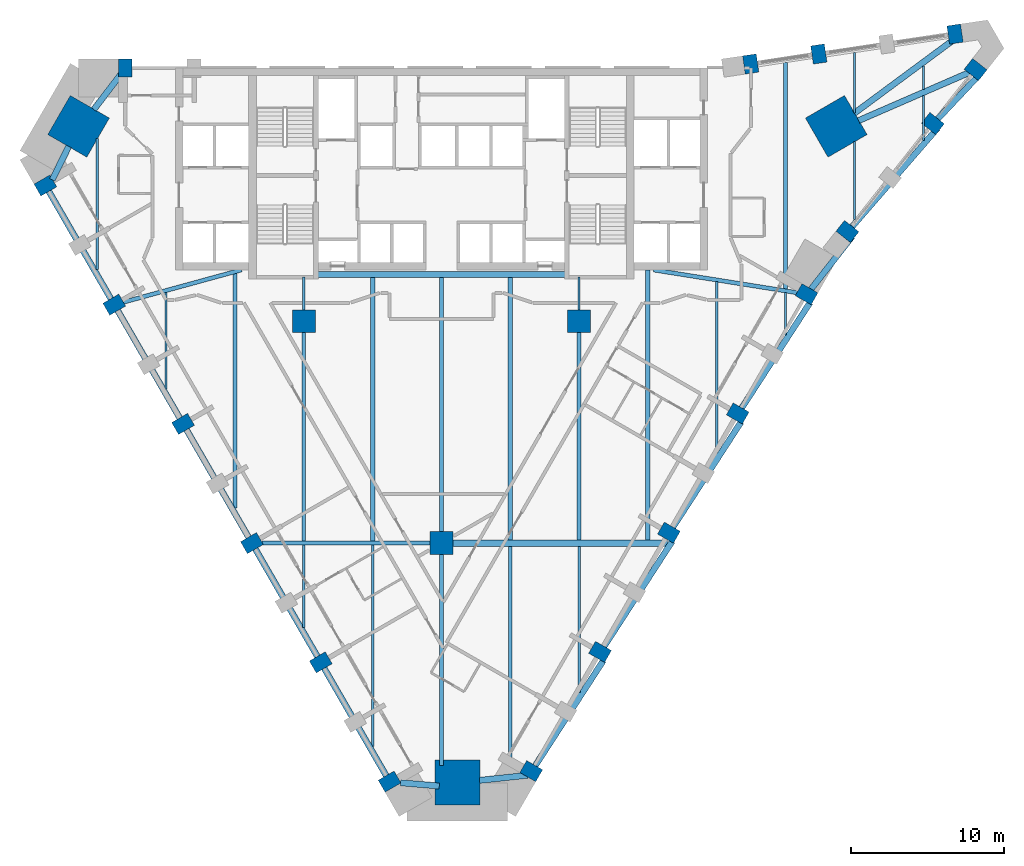
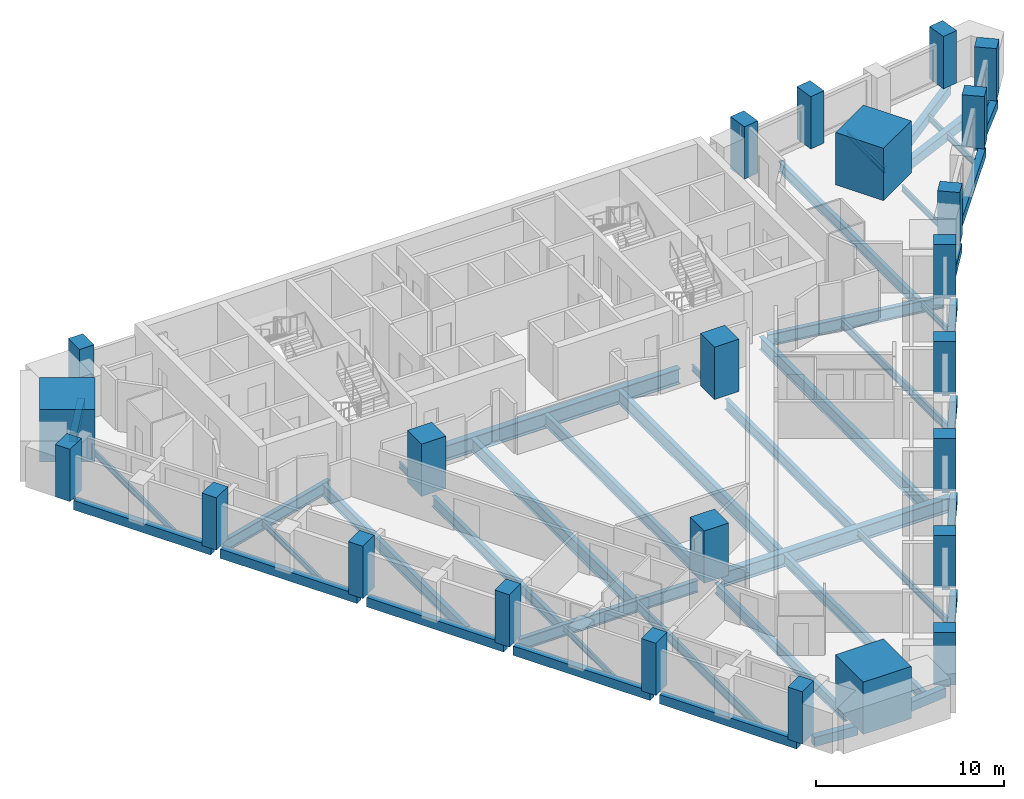
# One storey, part 1 of 10: 46 beams, 24 columns.
"""IFC4 building model written with IfcOpenShell, lengths in metres."""

from ifc_helpers import new_model, si_unit, direction, frame, origin, origin_2d, place, context, subcontext, project, spatial, rectangle, i_section, extrude, material, material_profile, profile_set, type_object, element, save


model = new_model("IFC4")

# Units and contexts
model_context = context("Model", 3, precision=1e-05, world=origin(), true_north=direction((0.0, 1.0)))
body_context = subcontext(model_context, "Body", "Model", "MODEL_VIEW")
ifc_project = project(units=[si_unit("LENGTHUNIT", "METRE"), si_unit("AREAUNIT", "SQUARE_METRE"), si_unit("VOLUMEUNIT", "CUBIC_METRE"), si_unit("PLANEANGLEUNIT", "RADIAN"), si_unit("MASSUNIT", "GRAM", prefix="KILO")], contexts=[model_context])

# Site, building, storey
site_placement = place(None, origin())
site = spatial("IfcSite", under=ifc_project, at=site_placement, CompositionType="ELEMENT")
building_placement = place(site_placement, origin())
building = spatial("IfcBuilding", under=site, at=building_placement, Name="Calabash Gate Tower", CompositionType="ELEMENT")
storey_placement = place(building_placement, frame((0.0, 0.0, 102.0)))
storey = spatial("IfcBuildingStorey", under=building, at=storey_placement, Name="L22", CompositionType="ELEMENT", Elevation=102.0)

# Columns
ifc_material_1 = material(Name="Concrete C80/95", Category="concrete")
ifc_material_profile_1 = material_profile(ifc_material_1, rectangle(XDim=1.5, YDim=1.5, at=origin_2d()))
ifc_profile_set_1 = profile_set([ifc_material_profile_1], Name="Concrete C80/95")
column_type_1 = type_object("IfcColumnType", Name="Interior column RC 1500x1500 Concrete C80/95", PredefinedType="COLUMN", material=ifc_profile_set_1)
for number, where, z_axis, x_axis, name in (
    (1, (-9.0, 2.5, 0.0), (0.0, 0.0, 1.0), (1.0, 0.0, 0.0), "Interior column L22 I0"),
    (2, (9.0, 2.5, 0.0), (0.0, 0.0, 1.0), (1.0, 0.0, 0.0), "Interior column L22 I1"),
    (3, (0.0, -12.0, 0.0), (0.0, 0.0, 1.0), (1.0, 0.0, 0.0), "Interior column L22 I2"),
):
    element("IfcColumn", number, at=place(storey_placement, frame(where, z_axis=z_axis, x_axis=x_axis)), inside=storey, type_object=column_type_1, Name=name, PredefinedType="COLUMN", context=body_context, shape_type="SweptSolid", body=[
        extrude(rectangle(XDim=1.5, YDim=1.5, at=origin_2d()), origin(), (0.0, 0.0, 1.0), 3.39990234375),
    ])
ifc_material_2 = material(Name="Concrete C80/95", Category="concrete")
ifc_material_profile_2 = material_profile(ifc_material_2, rectangle(XDim=2.949951171875, YDim=2.949951171875, at=origin_2d()))
ifc_profile_set_2 = profile_set([ifc_material_profile_2], Name="Concrete C80/95")
column_type_2 = type_object("IfcColumnType", Name="Mega column RC 2950x2950 Concrete C80/95", PredefinedType="COLUMN", material=ifc_profile_set_2)
for number, where, z_axis, x_axis, name in (
    (4, (-23.72412109375, 15.243896484375, 0.0), (0.0, 0.0, 1.0), (0.866025403784, -0.5, 0.0), "Mega column L22 NW"),
    (5, (25.806884765625, 15.243896484375, 0.0), (0.0, 0.0, 1.0), (-0.866025403784, -0.5, 0.0), "Mega column L22 NE"),
    (6, (1.041015625, -27.65087890625, 0.0), (0.0, 0.0, 1.0), (0.0, 1.0, 0.0), "Mega column L22 S"),
):
    element("IfcColumn", number, at=place(storey_placement, frame(where, z_axis=z_axis, x_axis=x_axis)), inside=storey, type_object=column_type_2, Name=name, PredefinedType="COLUMN", context=body_context, shape_type="SweptSolid", body=[
        extrude(rectangle(XDim=2.949951171875, YDim=2.949951171875, at=origin_2d()), origin(), (0.0, 0.0, 1.0), 3.39990234375),
    ])
ifc_material_3 = material(Name="Concrete C70/85", Category="concrete")
ifc_material_profile_3 = material_profile(ifc_material_3, rectangle(XDim=0.89990234375, YDim=1.199951171875, at=origin_2d()))
ifc_profile_set_3 = profile_set([ifc_material_profile_3], Name="Concrete C70/85")
column_type_3 = type_object("IfcColumnType", Name="Perimeter column RC 900x1200 Concrete C70/85", PredefinedType="COLUMN", material=ifc_profile_set_3)
for number, where, z_axis, x_axis, name in (
    (7, (-25.889892578125, 11.3779296875, 0.0), (0.0, 0.0, 1.0), (0.5, -0.866025403784, 0.0), "Perimeter column L22 P20"),
    (8, (-21.389892578125, 3.5830078125, 0.0), (0.0, 0.0, 1.0), (0.5, -0.866025403784, 0.0), "Perimeter column L22 P00"),
    (9, (-16.889892578125, -4.2109375, 0.0), (0.0, 0.0, 1.0), (0.5, -0.866025403784, 0.0), "Perimeter column L22 P01"),
    (10, (-12.389892578125, -12.0029296875, 0.0), (0.0, 0.0, 1.0), (0.5, -0.866025403784, 0.0), "Perimeter column L22 P02"),
    (11, (-7.889892578125, -19.799072265625, 0.0), (0.0, 0.0, 1.0), (0.5, -0.866025403784, 0.0), "Perimeter column L22 P03"),
    (12, (-3.389892578125, -27.593017578125, 0.0), (0.0, 0.0, 1.0), (0.5, -0.866025403784, 0.0), "Perimeter column L22 P05"),
    (13, (5.866943359375, -26.908935546875, 0.0), (0.0, 0.0, 1.0), (0.5, 0.866025403784, 0.0), "Perimeter column L22 P08"),
    (14, (10.366943359375, -19.113037109375, 0.0), (0.0, 0.0, 1.0), (0.5, 0.866025403784, 0.0), "Perimeter column L22 P09"),
    (15, (14.866943359375, -11.321044921875, 0.0), (0.0, 0.0, 1.0), (0.5, 0.866025403784, 0.0), "Perimeter column L22 P10"),
    (16, (19.366943359375, -3.527099609375, 0.0), (0.0, 0.0, 1.0), (0.5, 0.866025403784, 0.0), "Perimeter column L22 P11"),
    (17, (23.866943359375, 4.26708984375, 0.0), (0.0, 0.0, 1.0), (0.5, 0.866025403784, 0.0), "Perimeter column L22 P12"),
    (18, (26.5400390625, 8.366943359375, 0.0), (0.0, 0.0, 1.0), (0.620301172202, 0.784363726701, 0.0), "Perimeter column L22 P13"),
    (19, (32.1220703125, 15.424072265625, 0.0), (0.0, 0.0, 1.0), (0.620301172202, 0.784363726701, 0.0), "Perimeter column L22 P21"),
    (20, (34.9140625, 18.9541015625, 0.0), (0.0, 0.0, 1.0), (0.620301172202, 0.784363726701, 0.0), "Perimeter column L22 P22"),
    (21, (33.572998046875, 21.27587890625, 0.0), (0.0, 0.0, 1.0), (-0.989429504293, -0.145014675236, 0.0), "Perimeter column L22 P23"),
    (22, (24.66796875, 19.970947265625, 0.0), (0.0, 0.0, 1.0), (-0.989429504293, -0.145014675236, 0.0), "Perimeter column L22 P16"),
    (23, (20.216064453125, 19.318115234375, 0.0), (0.0, 0.0, 1.0), (-0.989429504293, -0.145014675236, 0.0), "Perimeter column L22 P24"),
    (24, (-20.6689453125, 19.052978515625, 0.0), (0.0, 0.0, 1.0), (-1.0, 0.0, 0.0), "Perimeter column L22 P17"),
):
    element("IfcColumn", number, at=place(storey_placement, frame(where, z_axis=z_axis, x_axis=x_axis)), inside=storey, type_object=column_type_3, Name=name, PredefinedType="COLUMN", context=body_context, shape_type="SweptSolid", body=[
        extrude(rectangle(XDim=0.89990234375, YDim=1.199951171875, at=origin_2d()), origin(), (0.0, 0.0, 1.0), 3.39990234375),
    ])

# Beams
ifc_material_4 = material(Name="Concrete C60/75", Category="concrete")
ifc_material_profile_4 = material_profile(ifc_material_4, rectangle(XDim=0.39990234375, YDim=0.60009765625, at=origin_2d()))
ifc_profile_set_4 = profile_set([ifc_material_profile_4], Name="Concrete C60/75")
beam_type_1 = type_object("IfcBeamType", Name="Edge beam RC 400x600 Concrete C60/75", PredefinedType="BEAM", material=ifc_profile_set_4)
beam_1_placement = place(storey_placement, frame((-16.672119140625, -4.589111328125, -0.469970703125), z_axis=(0.500175705322, -0.865923936501, 0.0), x_axis=(0.865923936501, 0.500175705322, 0.0)))
element("IfcBeam", 25, at=beam_1_placement, inside=storey, type_object=beam_type_1, Name="Edge beam L22 1", PredefinedType="BEAM", context=body_context, shape_type="SweptSolid", body=[
    extrude(rectangle(XDim=0.39990234375, YDim=0.60009765625, at=origin_2d()), origin(), (0.0, 0.0, 1.0), 8.42333984375),
])
beam_2_placement = place(storey_placement, frame((-12.172119140625, -12.383056640625, -0.469970703125), z_axis=(0.500025102917, -0.866010910123, 0.0), x_axis=(0.866010910123, 0.500025102917, 0.0)))
element("IfcBeam", 26, at=beam_2_placement, inside=storey, type_object=beam_type_1, Name="Edge beam L22 2", PredefinedType="BEAM", context=body_context, shape_type="SweptSolid", body=[
    extrude(rectangle(XDim=0.39990234375, YDim=0.60009765625, at=origin_2d()), origin(), (0.0, 0.0, 1.0), 8.42578125),
])
beam_3_placement = place(storey_placement, frame((-7.672119140625, -20.177001953125, -0.469970703125), z_axis=(0.500012556128, -0.866018154379, 0.0), x_axis=(0.866018154379, 0.500012556128, 0.0)))
element("IfcBeam", 27, at=beam_3_placement, inside=storey, type_object=beam_type_1, Name="Edge beam L22 3", PredefinedType="BEAM", context=body_context, shape_type="SweptSolid", body=[
    extrude(rectangle(XDim=0.39990234375, YDim=0.60009765625, at=origin_2d()), origin(), (0.0, 0.0, 1.0), 8.426025390625),
])
beam_4_placement = place(storey_placement, frame((-2.673095703125, -27.6669921875, -0.469970703125), z_axis=(0.996373247491, -0.085090256106, 0.0), x_axis=(0.085090256106, 0.996373247491, 0.0)))
element("IfcBeam", 28, at=beam_4_placement, inside=storey, type_object=beam_type_1, Name="Edge beam L22 4", PredefinedType="BEAM", context=body_context, shape_type="SweptSolid", body=[
    extrude(rectangle(XDim=0.39990234375, YDim=0.60009765625, at=origin_2d()), origin(), (0.0, 0.0, 1.0), 2.539306640625),
])
beam_5_placement = place(storey_placement, frame((2.489990234375, -27.512939453125, -0.469970703125), z_axis=(0.99429686812, 0.106647728743, 0.0), x_axis=(-0.106647728743, 0.99429686812, 0.0)))
element("IfcBeam", 29, at=beam_5_placement, inside=storey, type_object=beam_type_1, Name="Edge beam L22 5", PredefinedType="BEAM", context=body_context, shape_type="SweptSolid", body=[
    extrude(rectangle(XDim=0.39990234375, YDim=0.60009765625, at=origin_2d()), origin(), (0.0, 0.0, 1.0), 3.1591796875),
])
beam_6_placement = place(storey_placement, frame((6.1259765625, -26.55810546875, -0.469970703125), z_axis=(0.543664298649, 0.839302764427, 0.0), x_axis=(-0.839302764427, 0.543664298649, 0.0)))
element("IfcBeam", 30, at=beam_6_placement, inside=storey, type_object=beam_type_1, Name="Edge beam L22 6", PredefinedType="BEAM", context=body_context, shape_type="SweptSolid", body=[
    extrude(rectangle(XDim=0.39990234375, YDim=0.60009765625, at=origin_2d()), origin(), (0.0, 0.0, 1.0), 8.20947265625),
])
beam_7_placement = place(storey_placement, frame((10.6259765625, -18.763916015625, -0.469970703125), z_axis=(0.543677868932, 0.839293974024, 0.0), x_axis=(-0.839293974024, 0.543677868932, 0.0)))
element("IfcBeam", 31, at=beam_7_placement, inside=storey, type_object=beam_type_1, Name="Edge beam L22 7", PredefinedType="BEAM", context=body_context, shape_type="SweptSolid", body=[
    extrude(rectangle(XDim=0.39990234375, YDim=0.60009765625, at=origin_2d()), origin(), (0.0, 0.0, 1.0), 8.209228515625),
])
beam_8_placement = place(storey_placement, frame((15.1259765625, -10.968994140625, -0.469970703125), z_axis=(0.543732155417, 0.839258805831, 0.0), x_axis=(-0.839258805831, 0.543732155417, 0.0)))
element("IfcBeam", 32, at=beam_8_placement, inside=storey, type_object=beam_type_1, Name="Edge beam L22 8", PredefinedType="BEAM", context=body_context, shape_type="SweptSolid", body=[
    extrude(rectangle(XDim=0.39990234375, YDim=0.60009765625, at=origin_2d()), origin(), (0.0, 0.0, 1.0), 8.208251953125),
])
beam_9_placement = place(storey_placement, frame((19.6259765625, -3.173095703125, -0.469970703125), z_axis=(0.543827177379, 0.839197236139, 0.0), x_axis=(-0.839197236139, 0.543827177379, 0.0)))
element("IfcBeam", 33, at=beam_9_placement, inside=storey, type_object=beam_type_1, Name="Edge beam L22 9", PredefinedType="BEAM", context=body_context, shape_type="SweptSolid", body=[
    extrude(rectangle(XDim=0.39990234375, YDim=0.60009765625, at=origin_2d()), origin(), (0.0, 0.0, 1.0), 8.206787109375),
])
beam_10_placement = place(storey_placement, frame((24.159912109375, 4.60009765625, -0.469970703125), z_axis=(0.616370009033, 0.787456673072, 0.0), x_axis=(-0.787456673072, 0.616370009033, 0.0)))
element("IfcBeam", 34, at=beam_10_placement, inside=storey, type_object=beam_type_1, Name="Edge beam L22 10", PredefinedType="BEAM", context=body_context, shape_type="SweptSolid", body=[
    extrude(rectangle(XDim=0.39990234375, YDim=0.60009765625, at=origin_2d()), origin(), (0.0, 0.0, 1.0), 4.370849609375),
])
beam_11_placement = place(storey_placement, frame((26.83203125, 8.66796875, -0.469970703125), z_axis=(0.655025203749, 0.755607029119, 0.0), x_axis=(-0.755607029119, 0.655025203749, 0.0)))
element("IfcBeam", 35, at=beam_11_placement, inside=storey, type_object=beam_type_1, Name="Edge beam L22 11", PredefinedType="BEAM", context=body_context, shape_type="SweptSolid", body=[
    extrude(rectangle(XDim=0.39990234375, YDim=0.60009765625, at=origin_2d()), origin(), (0.0, 0.0, 1.0), 8.54150390625),
])
beam_12_placement = place(storey_placement, frame((32.43701171875, 15.72412109375, -0.469970703125), z_axis=(0.685684369874, 0.727898993618, 0.0), x_axis=(-0.727898993618, 0.685684369874, 0.0)))
element("IfcBeam", 36, at=beam_12_placement, inside=storey, type_object=beam_type_1, Name="Edge beam L22 12", PredefinedType="BEAM", context=body_context, shape_type="SweptSolid", body=[
    extrude(rectangle(XDim=0.39990234375, YDim=0.60009765625, at=origin_2d()), origin(), (0.0, 0.0, 1.0), 4.025146484375),
])
beam_13_placement = place(storey_placement, frame((34.85205078125, 18.9140625, -0.469970703125), z_axis=(-0.917076156133, -0.398712081398, 0.0), x_axis=(0.398712081398, -0.917076156133, 0.0)))
element("IfcBeam", 37, at=beam_13_placement, inside=storey, type_object=beam_type_1, Name="Edge beam L22 13", PredefinedType="BEAM", context=body_context, shape_type="SweptSolid", body=[
    extrude(rectangle(XDim=0.39990234375, YDim=0.60009765625, at=origin_2d()), origin(), (0.0, 0.0, 1.0), 8.27197265625),
])
beam_14_placement = place(storey_placement, frame((26.989013671875, 16.096923828125, -0.469970703125), z_axis=(0.803977048401, 0.594660327955, 0.0), x_axis=(-0.594660327955, 0.803977048401, 0.0)))
element("IfcBeam", 38, at=beam_14_placement, inside=storey, type_object=beam_type_1, Name="Edge beam L22 14", PredefinedType="BEAM", context=body_context, shape_type="SweptSolid", body=[
    extrude(rectangle(XDim=0.39990234375, YDim=0.60009765625, at=origin_2d()), origin(), (0.0, 0.0, 1.0), 8.411865234375),
])
beam_15_placement = place(storey_placement, frame((-20.738037109375, 18.93896484375, -0.469970703125), z_axis=(-0.607056715402, -0.794658507968, 0.0), x_axis=(0.794658507968, -0.607056715402, 0.0)))
element("IfcBeam", 39, at=beam_15_placement, inside=storey, type_object=beam_type_1, Name="Edge beam L22 17", PredefinedType="BEAM", context=body_context, shape_type="SweptSolid", body=[
    extrude(rectangle(XDim=0.39990234375, YDim=0.60009765625, at=origin_2d()), origin(), (0.0, 0.0, 1.0), 3.271728515625),
])
beam_16_placement = place(storey_placement, frame((-24.365966796875, 13.930908203125, -0.469970703125), z_axis=(-0.442832113962, -0.896604549868, 0.0), x_axis=(0.896604549868, -0.442832113962, 0.0)))
element("IfcBeam", 40, at=beam_16_placement, inside=storey, type_object=beam_type_1, Name="Edge beam L22 18", PredefinedType="BEAM", context=body_context, shape_type="SweptSolid", body=[
    extrude(rectangle(XDim=0.39990234375, YDim=0.60009765625, at=origin_2d()), origin(), (0.0, 0.0, 1.0), 2.432373046875),
])
for number, where, z_axis, x_axis, name in (
    (41, (-25.672119140625, 11.0, -0.469970703125), (0.500012556128, -0.866018154379, 0.0), (0.866018154379, 0.500012556128, 0.0), "Edge beam L22 19"),
    (42, (-21.172119140625, 3.2060546875, -0.469970703125), (0.500012556128, -0.866018154379, 0.0), (0.866018154379, 0.500012556128, 0.0), "Edge beam L22 20"),
):
    element("IfcBeam", number, at=place(storey_placement, frame(where, z_axis=z_axis, x_axis=x_axis)), inside=storey, type_object=beam_type_1, Name=name, PredefinedType="BEAM", context=body_context, shape_type="SweptSolid", body=[
        extrude(rectangle(XDim=0.39990234375, YDim=0.60009765625, at=origin_2d()), origin(), (0.0, 0.0, 1.0), 8.426025390625),
    ])
ifc_material_5 = material(Name="Steel ASTM A992 Gr50", Category="steel")
ifc_material_profile_5 = material_profile(ifc_material_5, i_section(OverallWidth=0.1396484375, OverallDepth=0.398681640625, WebThickness=0.00634765625, FlangeThickness=0.0087890625, FilletRadius=0.01025390625, at=origin_2d()))
ifc_profile_set_5 = profile_set([ifc_material_profile_5], Name="Steel ASTM A992 Gr50")
beam_type_2 = type_object("IfcBeamType", Name="Floor beam W16x26 ASTM A992 Gr50", PredefinedType="BEAM", material=ifc_profile_set_5)
beam_17_placement = place(storey_placement, frame((-22.5, 5.8740234375, -0.368896484375), z_axis=(0.0, 1.0, 0.0), x_axis=(-1.0, 0.0, 0.0)))
element("IfcBeam", 43, at=beam_17_placement, inside=storey, type_object=beam_type_2, Name="Floor beam L22 1", PredefinedType="BEAM", context=body_context, shape_type="SweptSolid", body=[
    extrude(i_section(OverallWidth=0.1396484375, OverallDepth=0.398681640625, WebThickness=0.00634765625, FlangeThickness=0.0087890625, FilletRadius=0.01025390625, at=origin_2d()), origin(), (0.0, 0.0, 1.0), 8.56787109375),
])
beam_18_placement = place(storey_placement, frame((-18.0, -1.919921875, -0.368896484375), z_axis=(0.0, 1.0, 0.0), x_axis=(-1.0, 0.0, 0.0)))
element("IfcBeam", 44, at=beam_18_placement, inside=storey, type_object=beam_type_2, Name="Floor beam L22 2", PredefinedType="BEAM", context=body_context, shape_type="SweptSolid", body=[
    extrude(i_section(OverallWidth=0.1396484375, OverallDepth=0.398681640625, WebThickness=0.00634765625, FlangeThickness=0.0087890625, FilletRadius=0.01025390625, at=origin_2d()), origin(), (0.0, 0.0, 1.0), 6.31689453125),
])
beam_19_placement = place(storey_placement, frame((-9.0, -17.508056640625, -0.368896484375), z_axis=(0.0, 1.0, 0.0), x_axis=(-1.0, 0.0, 0.0)))
element("IfcBeam", 45, at=beam_19_placement, inside=storey, type_object=beam_type_2, Name="Floor beam L22 4", PredefinedType="BEAM", context=body_context, shape_type="SweptSolid", body=[
    extrude(i_section(OverallWidth=0.1396484375, OverallDepth=0.398681640625, WebThickness=0.00634765625, FlangeThickness=0.0087890625, FilletRadius=0.01025390625, at=origin_2d()), origin(), (0.0, 0.0, 1.0), 5.375),
])
for number, where, z_axis, x_axis, name in (
    (46, (-9.0, 3.25, -0.368896484375), (0.0, 1.0, 0.0), (-1.0, 0.0, 0.0), "Floor beam L22 6"),
    (47, (9.0, 3.25, -0.368896484375), (0.0, 1.0, 0.0), (-1.0, 0.0, 0.0), "Floor beam L22 15"),
):
    element("IfcBeam", number, at=place(storey_placement, frame(where, z_axis=z_axis, x_axis=x_axis)), inside=storey, type_object=beam_type_2, Name=name, PredefinedType="BEAM", context=body_context, shape_type="SweptSolid", body=[
        extrude(i_section(OverallWidth=0.1396484375, OverallDepth=0.398681640625, WebThickness=0.00634765625, FlangeThickness=0.0087890625, FilletRadius=0.01025390625, at=origin_2d()), origin(), (0.0, 0.0, 1.0), 2.153076171875),
    ])
beam_20_placement = place(storey_placement, frame((22.5, 1.60693359375, -0.368896484375), z_axis=(0.0, 1.0, 0.0), x_axis=(-1.0, 0.0, 0.0)))
element("IfcBeam", 48, at=beam_20_placement, inside=storey, type_object=beam_type_2, Name="Floor beam L22 18", PredefinedType="BEAM", context=body_context, shape_type="SweptSolid", body=[
    extrude(i_section(OverallWidth=0.1396484375, OverallDepth=0.398681640625, WebThickness=0.00634765625, FlangeThickness=0.0087890625, FilletRadius=0.01025390625, at=origin_2d()), origin(), (0.0, 0.0, 1.0), 2.775146484375),
])
beam_21_placement = place(storey_placement, frame((27.0, 9.139892578125, -0.368896484375), z_axis=(0.0, 1.0, 0.0), x_axis=(-1.0, 0.0, 0.0)))
element("IfcBeam", 49, at=beam_21_placement, inside=storey, type_object=beam_type_2, Name="Floor beam L22 20", PredefinedType="BEAM", context=body_context, shape_type="SweptSolid", body=[
    extrude(i_section(OverallWidth=0.1396484375, OverallDepth=0.398681640625, WebThickness=0.00634765625, FlangeThickness=0.0087890625, FilletRadius=0.01025390625, at=origin_2d()), origin(), (0.0, 0.0, 1.0), 5.108154296875),
])
beam_22_placement = place(storey_placement, frame((27.0, 16.10400390625, -0.368896484375), z_axis=(0.0, 1.0, 0.0), x_axis=(-1.0, 0.0, 0.0)))
element("IfcBeam", 50, at=beam_22_placement, inside=storey, type_object=beam_type_2, Name="Floor beam L22 21", PredefinedType="BEAM", context=body_context, shape_type="SweptSolid", body=[
    extrude(i_section(OverallWidth=0.1396484375, OverallDepth=0.398681640625, WebThickness=0.00634765625, FlangeThickness=0.0087890625, FilletRadius=0.01025390625, at=origin_2d()), origin(), (0.0, 0.0, 1.0), 3.97607421875),
])
beam_23_placement = place(storey_placement, frame((31.5, 14.3330078125, -0.368896484375), z_axis=(0.0, 1.0, 0.0), x_axis=(-1.0, 0.0, 0.0)))
element("IfcBeam", 51, at=beam_23_placement, inside=storey, type_object=beam_type_2, Name="Floor beam L22 22", PredefinedType="BEAM", context=body_context, shape_type="SweptSolid", body=[
    extrude(i_section(OverallWidth=0.1396484375, OverallDepth=0.398681640625, WebThickness=0.00634765625, FlangeThickness=0.0087890625, FilletRadius=0.01025390625, at=origin_2d()), origin(), (0.0, 0.0, 1.0), 2.927978515625),
])
beam_24_placement = place(storey_placement, frame((31.5, 17.653076171875, -0.368896484375), z_axis=(0.0, 1.0, 0.0), x_axis=(-1.0, 0.0, 0.0)))
element("IfcBeam", 52, at=beam_24_placement, inside=storey, type_object=beam_type_2, Name="Floor beam L22 23", PredefinedType="BEAM", context=body_context, shape_type="SweptSolid", body=[
    extrude(i_section(OverallWidth=0.1396484375, OverallDepth=0.398681640625, WebThickness=0.00634765625, FlangeThickness=0.0087890625, FilletRadius=0.01025390625, at=origin_2d()), origin(), (0.0, 0.0, 1.0), 1.5439453125),
])
ifc_material_6 = material(Name="Steel ASTM A992 Gr50", Category="steel")
ifc_material_profile_6 = material_profile(ifc_material_6, i_section(OverallWidth=0.15234375, OverallDepth=0.44970703125, WebThickness=0.007568359375, FlangeThickness=0.0107421875, FilletRadius=0.01025390625, at=origin_2d()))
ifc_profile_set_6 = profile_set([ifc_material_profile_6], Name="Steel ASTM A992 Gr50")
beam_type_3 = type_object("IfcBeamType", Name="Floor beam W18x35 ASTM A992 Gr50", PredefinedType="BEAM", material=ifc_profile_set_6)
beam_25_placement = place(storey_placement, frame((9.0, -21.77294921875, -0.39306640625), z_axis=(0.0, 1.0, 0.0), x_axis=(-1.0, 0.0, 0.0)))
element("IfcBeam", 53, at=beam_25_placement, inside=storey, type_object=beam_type_3, Name="Floor beam L22 13", PredefinedType="BEAM", context=body_context, shape_type="SweptSolid", body=[
    extrude(i_section(OverallWidth=0.15234375, OverallDepth=0.44970703125, WebThickness=0.007568359375, FlangeThickness=0.0107421875, FilletRadius=0.01025390625, at=origin_2d()), origin(), (0.0, 0.0, 1.0), 9.56298828125),
])
ifc_material_7 = material(Name="Steel ASTM A992 Gr50", Category="steel")
ifc_material_profile_7 = material_profile(ifc_material_7, i_section(OverallWidth=0.166015625, OverallDepth=0.5283203125, WebThickness=0.009765625, FlangeThickness=0.013671875, FilletRadius=0.0126953125, at=origin_2d()))
ifc_profile_set_7 = profile_set([ifc_material_profile_7], Name="Steel ASTM A992 Gr50")
beam_type_4 = type_object("IfcBeamType", Name="Floor beam W21x50 ASTM A992 Gr50", PredefinedType="BEAM", material=ifc_profile_set_7)
beam_26_placement = place(storey_placement, frame((18.0, -6.18701171875, -0.43408203125), z_axis=(0.0, 1.0, 0.0), x_axis=(-1.0, 0.0, 0.0)))
element("IfcBeam", 54, at=beam_26_placement, inside=storey, type_object=beam_type_4, Name="Floor beam L22 17", PredefinedType="BEAM", context=body_context, shape_type="SweptSolid", body=[
    extrude(i_section(OverallWidth=0.166015625, OverallDepth=0.5283203125, WebThickness=0.009765625, FlangeThickness=0.013671875, FilletRadius=0.0126953125, at=origin_2d()), origin(), (0.0, 0.0, 1.0), 11.282958984375),
])
ifc_material_8 = material(Name="Steel ASTM A992 Gr50", Category="steel")
ifc_material_profile_8 = material_profile(ifc_material_8, i_section(OverallWidth=0.1787109375, OverallDepth=0.60205078125, WebThickness=0.010986328125, FlangeThickness=0.014892578125, FilletRadius=0.0126953125, at=origin_2d()))
ifc_profile_set_8 = profile_set([ifc_material_profile_8], Name="Steel ASTM A992 Gr50")
beam_type_5 = type_object("IfcBeamType", Name="Floor beam W24x62 ASTM A992 Gr50", PredefinedType="BEAM", material=ifc_profile_set_8)
beam_27_placement = place(storey_placement, frame((-4.5, -25.302978515625, -0.470947265625), z_axis=(0.0, 1.0, 0.0), x_axis=(-1.0, 0.0, 0.0)))
element("IfcBeam", 55, at=beam_27_placement, inside=storey, type_object=beam_type_5, Name="Floor beam L22 7", PredefinedType="BEAM", context=body_context, shape_type="SweptSolid", body=[
    extrude(i_section(OverallWidth=0.1787109375, OverallDepth=0.60205078125, WebThickness=0.010986328125, FlangeThickness=0.014892578125, FilletRadius=0.0126953125, at=origin_2d()), origin(), (0.0, 0.0, 1.0), 13.169921875),
])
ifc_material_9 = material(Name="Steel ASTM A992 Gr50", Category="steel")
ifc_material_profile_9 = material_profile(ifc_material_9, i_section(OverallWidth=0.25390625, OverallDepth=0.67822265625, WebThickness=0.01171875, FlangeThickness=0.016357421875, FilletRadius=0.01513671875, at=origin_2d()))
ifc_profile_set_9 = profile_set([ifc_material_profile_9], Name="Steel ASTM A992 Gr50")
beam_type_6 = type_object("IfcBeamType", Name="Floor beam W27x84 ASTM A992 Gr50", PredefinedType="BEAM", material=ifc_profile_set_9)
beam_28_placement = place(storey_placement, frame((-9.0, -11.866943359375, -0.509033203125), z_axis=(0.0, 1.0, 0.0), x_axis=(-1.0, 0.0, 0.0)))
element("IfcBeam", 56, at=beam_28_placement, inside=storey, type_object=beam_type_6, Name="Floor beam L22 5", PredefinedType="BEAM", context=body_context, shape_type="SweptSolid", body=[
    extrude(i_section(OverallWidth=0.25390625, OverallDepth=0.67822265625, WebThickness=0.01171875, FlangeThickness=0.016357421875, FilletRadius=0.01513671875, at=origin_2d()), origin(), (0.0, 0.0, 1.0), 13.616943359375),
])
beam_29_placement = place(storey_placement, frame((0.0, -26.548095703125, -0.509033203125), z_axis=(0.0, 1.0, 0.0), x_axis=(-1.0, 0.0, 0.0)))
element("IfcBeam", 57, at=beam_29_placement, inside=storey, type_object=beam_type_6, Name="Floor beam L22 9", PredefinedType="BEAM", context=body_context, shape_type="SweptSolid", body=[
    extrude(i_section(OverallWidth=0.25390625, OverallDepth=0.67822265625, WebThickness=0.01171875, FlangeThickness=0.016357421875, FilletRadius=0.01513671875, at=origin_2d()), origin(), (0.0, 0.0, 1.0), 13.798095703125),
])
beam_30_placement = place(storey_placement, frame((4.5, -27.118896484375, -0.509033203125), z_axis=(0.0, 1.0, 0.0), x_axis=(-1.0, 0.0, 0.0)))
element("IfcBeam", 58, at=beam_30_placement, inside=storey, type_object=beam_type_6, Name="Floor beam L22 11", PredefinedType="BEAM", context=body_context, shape_type="SweptSolid", body=[
    extrude(i_section(OverallWidth=0.25390625, OverallDepth=0.67822265625, WebThickness=0.01171875, FlangeThickness=0.016357421875, FilletRadius=0.01513671875, at=origin_2d()), origin(), (0.0, 0.0, 1.0), 14.908935546875),
])
beam_31_placement = place(storey_placement, frame((9.0, -11.7900390625, -0.509033203125), z_axis=(0.0, 1.0, 0.0), x_axis=(-1.0, 0.0, 0.0)))
element("IfcBeam", 59, at=beam_31_placement, inside=storey, type_object=beam_type_6, Name="Floor beam L22 14", PredefinedType="BEAM", context=body_context, shape_type="SweptSolid", body=[
    extrude(i_section(OverallWidth=0.25390625, OverallDepth=0.67822265625, WebThickness=0.01171875, FlangeThickness=0.016357421875, FilletRadius=0.01513671875, at=origin_2d()), origin(), (0.0, 0.0, 1.0), 13.5400390625),
])
beam_32_placement = place(storey_placement, frame((22.5, 4.587890625, -0.509033203125), z_axis=(0.0, 1.0, 0.0), x_axis=(-1.0, 0.0, 0.0)))
element("IfcBeam", 60, at=beam_32_placement, inside=storey, type_object=beam_type_6, Name="Floor beam L22 19", PredefinedType="BEAM", context=body_context, shape_type="SweptSolid", body=[
    extrude(i_section(OverallWidth=0.25390625, OverallDepth=0.67822265625, WebThickness=0.01171875, FlangeThickness=0.016357421875, FilletRadius=0.01513671875, at=origin_2d()), origin(), (0.0, 0.0, 1.0), 14.8330078125),
])
ifc_material_10 = material(Name="Steel ASTM A992 Gr50", Category="steel")
ifc_material_profile_10 = material_profile(ifc_material_10, i_section(OverallWidth=0.2666015625, OverallDepth=0.7568359375, WebThickness=0.013916015625, FlangeThickness=0.019287109375, FilletRadius=0.0166015625, at=origin_2d()))
ifc_profile_set_10 = profile_set([ifc_material_profile_10], Name="Steel ASTM A992 Gr50")
beam_type_7 = type_object("IfcBeamType", Name="Floor beam W30x108 ASTM A992 Gr50", PredefinedType="BEAM", material=ifc_profile_set_10)
beam_33_placement = place(storey_placement, frame((-13.5, -9.714111328125, -0.548095703125), z_axis=(0.0, 1.0, 0.0), x_axis=(-1.0, 0.0, 0.0)))
element("IfcBeam", 61, at=beam_33_placement, inside=storey, type_object=beam_type_7, Name="Floor beam L22 3", PredefinedType="BEAM", context=body_context, shape_type="SweptSolid", body=[
    extrude(i_section(OverallWidth=0.2666015625, OverallDepth=0.7568359375, WebThickness=0.013916015625, FlangeThickness=0.019287109375, FilletRadius=0.0166015625, at=origin_2d()), origin(), (0.0, 0.0, 1.0), 15.340087890625),
])
beam_34_placement = place(storey_placement, frame((0.0, -11.25, -0.548095703125), z_axis=(0.0, 1.0, 0.0), x_axis=(-1.0, 0.0, 0.0)))
element("IfcBeam", 62, at=beam_34_placement, inside=storey, type_object=beam_type_7, Name="Floor beam L22 10", PredefinedType="BEAM", context=body_context, shape_type="SweptSolid", body=[
    extrude(i_section(OverallWidth=0.2666015625, OverallDepth=0.7568359375, WebThickness=0.013916015625, FlangeThickness=0.019287109375, FilletRadius=0.0166015625, at=origin_2d()), origin(), (0.0, 0.0, 1.0), 16.60205078125),
])
ifc_material_11 = material(Name="Steel ASTM A992 Gr50", Category="steel")
ifc_material_profile_11 = material_profile(ifc_material_11, i_section(OverallWidth=0.2919921875, OverallDepth=0.845703125, WebThickness=0.015380859375, FlangeThickness=0.0244140625, FilletRadius=0.017822265625, at=origin_2d()))
ifc_profile_set_11 = profile_set([ifc_material_profile_11], Name="Steel ASTM A992 Gr50")
beam_type_8 = type_object("IfcBeamType", Name="Floor beam W33x141 ASTM A992 Gr50", PredefinedType="BEAM", material=ifc_profile_set_11)
beam_35_placement = place(storey_placement, frame((-4.5, -11.866943359375, -0.593017578125), z_axis=(0.0, 1.0, 0.0), x_axis=(-1.0, 0.0, 0.0)))
element("IfcBeam", 63, at=beam_35_placement, inside=storey, type_object=beam_type_8, Name="Floor beam L22 8", PredefinedType="BEAM", context=body_context, shape_type="SweptSolid", body=[
    extrude(i_section(OverallWidth=0.2919921875, OverallDepth=0.845703125, WebThickness=0.015380859375, FlangeThickness=0.0244140625, FilletRadius=0.017822265625, at=origin_2d()), origin(), (0.0, 0.0, 1.0), 17.218994140625),
])
beam_36_placement = place(storey_placement, frame((4.5, -11.7900390625, -0.593017578125), z_axis=(0.0, 1.0, 0.0), x_axis=(-1.0, 0.0, 0.0)))
element("IfcBeam", 64, at=beam_36_placement, inside=storey, type_object=beam_type_8, Name="Floor beam L22 12", PredefinedType="BEAM", context=body_context, shape_type="SweptSolid", body=[
    extrude(i_section(OverallWidth=0.2919921875, OverallDepth=0.845703125, WebThickness=0.015380859375, FlangeThickness=0.0244140625, FilletRadius=0.017822265625, at=origin_2d()), origin(), (0.0, 0.0, 1.0), 17.14208984375),
])
beam_37_placement = place(storey_placement, frame((13.5, -11.7900390625, -0.593017578125), z_axis=(0.0, 1.0, 0.0), x_axis=(-1.0, 0.0, 0.0)))
element("IfcBeam", 65, at=beam_37_placement, inside=storey, type_object=beam_type_8, Name="Floor beam L22 16", PredefinedType="BEAM", context=body_context, shape_type="SweptSolid", body=[
    extrude(i_section(OverallWidth=0.2919921875, OverallDepth=0.845703125, WebThickness=0.015380859375, FlangeThickness=0.0244140625, FilletRadius=0.017822265625, at=origin_2d()), origin(), (0.0, 0.0, 1.0), 17.64306640625),
])
ifc_material_12 = material(Name="Steel ASTM A992 Gr50", Category="steel")
ifc_material_profile_12 = material_profile(ifc_material_12, i_section(OverallWidth=0.2666015625, OverallDepth=0.77978515625, WebThickness=0.0166015625, FlangeThickness=0.030029296875, FilletRadius=0.0166015625, at=origin_2d()))
ifc_profile_set_12 = profile_set([ifc_material_profile_12], Name="Steel ASTM A992 Gr50")
beam_type_9 = type_object("IfcBeamType", Name="Girder W30x148 ASTM A992 Gr50", PredefinedType="BEAM", material=ifc_profile_set_12)
beam_38_placement = place(storey_placement, frame((-20.81298828125, 3.740966796875, -0.56005859375), z_axis=(0.964572589979, 0.26381758596, 0.0), x_axis=(-0.26381758596, 0.964572589979, 0.0)))
element("IfcBeam", 66, at=beam_38_placement, inside=storey, type_object=beam_type_9, Name="Girder L22 2", PredefinedType="BEAM", context=body_context, shape_type="SweptSolid", body=[
    extrude(i_section(OverallWidth=0.2666015625, OverallDepth=0.77978515625, WebThickness=0.0166015625, FlangeThickness=0.030029296875, FilletRadius=0.0166015625, at=origin_2d()), origin(), (0.0, 0.0, 1.0), 8.024169921875),
])
beam_39_placement = place(storey_placement, frame((23.806884765625, 4.277099609375, -0.56005859375), z_axis=(-0.987618770921, 0.156873080305, 0.0), x_axis=(-0.156873080305, -0.987618770921, 0.0)))
element("IfcBeam", 67, at=beam_39_placement, inside=storey, type_object=beam_type_9, Name="Girder L22 3", PredefinedType="BEAM", context=body_context, shape_type="SweptSolid", body=[
    extrude(i_section(OverallWidth=0.2666015625, OverallDepth=0.77978515625, WebThickness=0.0166015625, FlangeThickness=0.030029296875, FilletRadius=0.0166015625, at=origin_2d()), origin(), (0.0, 0.0, 1.0), 10.064453125),
])
beam_40_placement = place(storey_placement, frame((-11.73193359375, -12.0, -0.56005859375), z_axis=(1.0, 0.0, 0.0), x_axis=(0.0, 1.0, 0.0)))
element("IfcBeam", 68, at=beam_40_placement, inside=storey, type_object=beam_type_9, Name="Girder L22 4", PredefinedType="BEAM", context=body_context, shape_type="SweptSolid", body=[
    extrude(i_section(OverallWidth=0.2666015625, OverallDepth=0.77978515625, WebThickness=0.0166015625, FlangeThickness=0.030029296875, FilletRadius=0.0166015625, at=origin_2d()), origin(), (0.0, 0.0, 1.0), 10.98193359375),
])
ifc_material_13 = material(Name="Steel ASTM A992 Gr50", Category="steel")
ifc_material_profile_13 = material_profile(ifc_material_13, i_section(OverallWidth=0.419189453125, OverallDepth=0.927001953125, WebThickness=0.019287109375, FlangeThickness=0.031982421875, FilletRadius=0.024169921875, at=origin_2d()))
ifc_profile_set_13 = profile_set([ifc_material_profile_13], Name="Steel ASTM A992 Gr50")
beam_type_10 = type_object("IfcBeamType", Name="Girder W36x231 ASTM A992 Gr50", PredefinedType="BEAM", material=ifc_profile_set_13)
beam_41_placement = place(storey_placement, frame((0.75, -12.0, -0.634033203125), z_axis=(1.0, 0.0, 0.0), x_axis=(0.0, 1.0, 0.0)))
element("IfcBeam", 69, at=beam_41_placement, inside=storey, type_object=beam_type_10, Name="Girder L22 5", PredefinedType="BEAM", context=body_context, shape_type="SweptSolid", body=[
    extrude(i_section(OverallWidth=0.419189453125, OverallDepth=0.927001953125, WebThickness=0.019287109375, FlangeThickness=0.031982421875, FilletRadius=0.024169921875, at=origin_2d()), origin(), (0.0, 0.0, 1.0), 14.037109375),
])
ifc_material_14 = material(Name="Steel ASTM A992 Gr50", Category="steel")
ifc_material_profile_14 = material_profile(ifc_material_14, i_section(OverallWidth=0.4013671875, OverallDepth=1.000732421875, WebThickness=0.01904296875, FlangeThickness=0.0361328125, FilletRadius=0.030029296875, at=origin_2d()))
ifc_profile_set_14 = profile_set([ifc_material_profile_14], Name="Steel ASTM A992 Gr50")
beam_type_11 = type_object("IfcBeamType", Name="Girder W40x249 ASTM A992 Gr50", PredefinedType="BEAM", material=ifc_profile_set_14)
beam_42_placement = place(storey_placement, frame((-8.25, 5.552978515625, -0.669921875), z_axis=(1.0, 0.0, 0.0), x_axis=(0.0, 1.0, 0.0)))
element("IfcBeam", 70, at=beam_42_placement, inside=storey, type_object=beam_type_11, Name="Girder L22 1", PredefinedType="BEAM", context=body_context, shape_type="SweptSolid", body=[
    extrude(i_section(OverallWidth=0.4013671875, OverallDepth=1.000732421875, WebThickness=0.01904296875, FlangeThickness=0.0361328125, FilletRadius=0.030029296875, at=origin_2d()), origin(), (0.0, 0.0, 1.0), 16.5),
])

save(model, "model.ifc")
